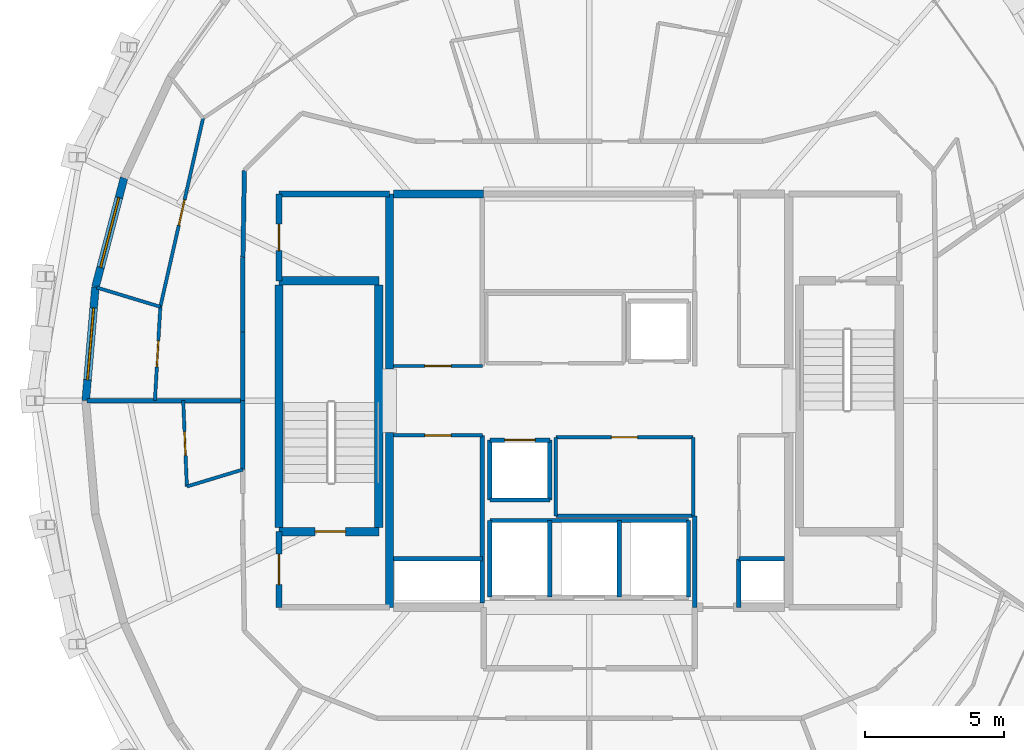
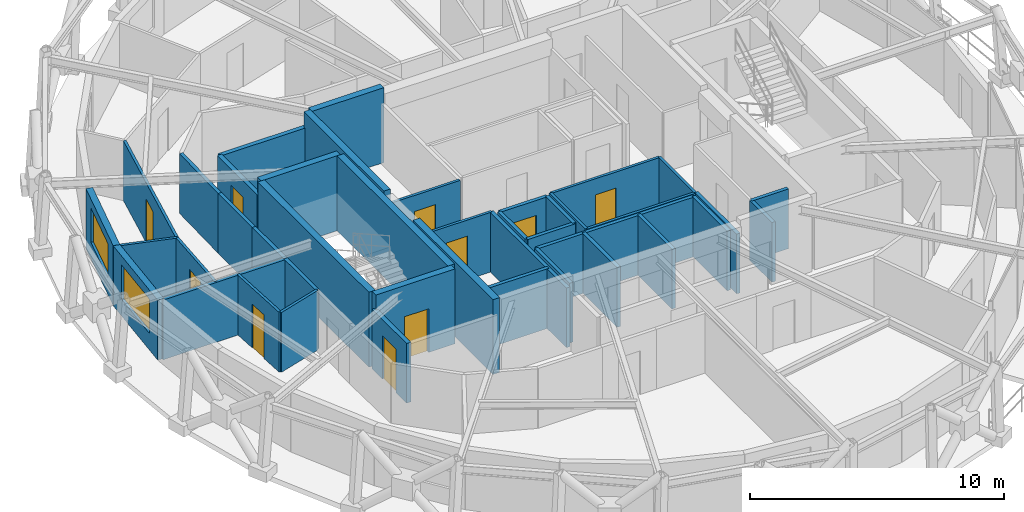
# One storey, part 13 of 17: 42 walls, 10 doors, 2 windows, 12 openings.
"""IFC4 building model written with IfcOpenShell, lengths in metres."""

from ifc_helpers import new_model, si_unit, direction, frame, frame_2d, origin, place, context, subcontext, project, spatial, rectangle, extrude, material, layer, layer_set, type_object, element, fill, save


model = new_model("IFC4")

# Units and contexts
model_context = context("Model", 3, precision=1e-05, world=origin(), true_north=direction((0.0, 1.0)))
body_context = subcontext(model_context, "Body", "Model", "MODEL_VIEW")
ifc_project = project(units=[si_unit("LENGTHUNIT", "METRE"), si_unit("AREAUNIT", "SQUARE_METRE"), si_unit("VOLUMEUNIT", "CUBIC_METRE"), si_unit("PLANEANGLEUNIT", "RADIAN"), si_unit("MASSUNIT", "GRAM", prefix="KILO")], contexts=[model_context])

# Site, building, storey
site_placement = place(None, origin())
site = spatial("IfcSite", under=ifc_project, at=site_placement, CompositionType="ELEMENT")
building_placement = place(site_placement, origin())
building = spatial("IfcBuilding", under=site, at=building_placement, Name="Veldorina Hangang Commons", CompositionType="ELEMENT")
storey_placement = place(building_placement, frame((0.0, 0.0, 286.800048828125)))
storey = spatial("IfcBuildingStorey", under=building, at=storey_placement, Name="L75", CompositionType="ELEMENT", Elevation=286.800048828125)

# Walls
ifc_material_1 = material(Name="Concrete C50/60", Category="concrete")
ifc_layer_1 = layer(ifc_material_1, 0.300048828125)
ifc_layer_set_1 = layer_set([ifc_layer_1], Name="Concrete C50/60")
wall_type_1 = type_object("IfcWallType", Name="CW-RC300-C50", PredefinedType="SHEAR", material=ifc_layer_set_1)
for number, where, z_axis, x_axis, name in (
    (1, (24.800048828125, 16.550048828125, 0.0), (0.0, 0.0, 1.0), (0.0, 1.0, 0.0), "L75 W south core shear wall"),
    (2, (24.800048828125, 25.14990234375, 0.0), (0.0, 0.0, 1.0), (0.0, 1.0, 0.0), "L75 W north core shear wall"),
):
    element("IfcWall", number, at=place(storey_placement, frame(where, z_axis=z_axis, x_axis=x_axis)), inside=storey, type_object=wall_type_1, Name=name, PredefinedType="SHEAR", context=body_context, shape_type="SweptSolid", body=[
        extrude(rectangle(XDim=6.300048828125, YDim=0.300048828125, at=frame_2d((3.14990234375, 0.0))), origin(), (0.0, 0.0, 1.0), 3.599853515625),
    ])
wall_1_placement = place(storey_placement, frame((24.949951171875, 31.449951171875, 0.0), z_axis=(0.0, 0.0, 1.0), x_axis=(1.0, 0.0, 0.0)))
element("IfcWall", 3, at=wall_1_placement, inside=storey, type_object=wall_type_1, Name="L75 north-west core shear wall", PredefinedType="SHEAR", context=body_context, shape_type="SweptSolid", body=[
    extrude(rectangle(XDim=3.25, YDim=0.300048828125, at=frame_2d((1.625, 0.0))), origin(), (0.0, 0.0, 1.0), 3.599853515625),
])

# Wall, opening, window
ifc_material_2 = material(Name="Stone Roman Travertine", Category="masonry")
ifc_layer_2 = layer(ifc_material_2, 0.280029296875)
ifc_layer_set_2 = layer_set([ifc_layer_2], Name="Stone Roman Travertine")
wall_type_2 = type_object("IfcWallType", Name="EW-TRAV-280", PredefinedType="STANDARD", material=ifc_layer_set_2)
wall_2_placement = place(storey_placement, frame((15.2353515625, 32.02734375, 0.0), z_axis=(0.0, 0.0, 1.0), x_axis=(-0.253787245117, -0.967260065451, 0.0)))
wall_2 = element("IfcWall", 4, at=wall_2_placement, inside=storey, type_object=wall_type_2, Name="L75 travertine facade wall 14", PredefinedType="STANDARD", context=body_context, shape_type="SweptSolid", body=[
    extrude(rectangle(XDim=4.068359375, YDim=0.280029296875, at=frame_2d((2.0341796875, 0.0))), origin(), (0.0, 0.0, 1.0), 2.8798828125),
])
opening_1_placement = place(wall_2_placement, frame((0.734130859375, 0.0, 0.800048828125)))
opening_1 = element("IfcOpeningElement", 5, at=opening_1_placement, cuts=wall_2, Name="Opening W-02", PredefinedType="OPENING", context=body_context, shape_type="SweptSolid", body=[
    extrude(rectangle(XDim=2.60009765625, YDim=1.64990234375, at=frame_2d((1.300048828125, 0.824951171875))), frame((0.0, 0.14990234375, 0.0), z_axis=(0.0, -1.0, 0.0), x_axis=(1.0, 0.0, 0.0)), (0.0, 0.0, 1.0), 0.300048828125),
])
ifc_material_3 = material(Name="Glass Low-E Triple IGU", Category="glass")
window_type = type_object("IfcWindowType", Name="WIN-TWR-2600", PartitioningType="SINGLE_PANEL", PredefinedType="WINDOW", material=ifc_material_3)
window_1_placement = place(opening_1_placement, origin())
window_1 = element("IfcWindow", 6, at=window_1_placement, inside=storey, type_object=window_type, Name="L75 facade window 14", OverallHeight=1.64990234375, OverallWidth=2.60009765625, PartitioningType="SINGLE_PANEL", PredefinedType="WINDOW", context=body_context, shape_type="SweptSolid", body=[
    extrude(rectangle(XDim=2.60009765625, YDim=1.64990234375, at=frame_2d((1.300048828125, 0.824951171875))), frame((0.0, 0.030029296875, 0.0), z_axis=(0.0, -1.0, 0.0), x_axis=(1.0, 0.0, 0.0)), (0.0, 0.0, 1.0), 0.06005859375),
])
fill(opening_1, window_1)

wall_3_placement = place(storey_placement, frame((14.202880859375, 28.09228515625, 0.0), z_axis=(0.0, 0.0, 1.0), x_axis=(-0.084944229557, -0.996385707377, 0.0)))
wall_3 = element("IfcWall", 7, at=wall_3_placement, inside=storey, type_object=wall_type_2, Name="L75 travertine facade wall 15", PredefinedType="STANDARD", context=body_context, shape_type="SweptSolid", body=[
    extrude(rectangle(XDim=4.107177734375, YDim=0.280029296875, at=frame_2d((2.0537109375, 0.0))), origin(), (0.0, 0.0, 1.0), 2.8798828125),
])
opening_2_placement = place(wall_3_placement, frame((0.753662109375, 0.0, 0.800048828125)))
opening_2 = element("IfcOpeningElement", 8, at=opening_2_placement, cuts=wall_3, Name="Opening W-02", PredefinedType="OPENING", context=body_context, shape_type="SweptSolid", body=[
    extrude(rectangle(XDim=2.60009765625, YDim=1.64990234375, at=frame_2d((1.300048828125, 0.824951171875))), frame((0.0, 0.14990234375, 0.0), z_axis=(0.0, -1.0, 0.0), x_axis=(1.0, 0.0, 0.0)), (0.0, 0.0, 1.0), 0.300048828125),
])
window_2_placement = place(opening_2_placement, origin())
window_2 = element("IfcWindow", 9, at=window_2_placement, inside=storey, type_object=window_type, Name="L75 facade window 15", OverallHeight=1.64990234375, OverallWidth=2.60009765625, PartitioningType="SINGLE_PANEL", PredefinedType="WINDOW", context=body_context, shape_type="SweptSolid", body=[
    extrude(rectangle(XDim=2.60009765625, YDim=1.64990234375, at=frame_2d((1.300048828125, 0.824951171875))), frame((0.0, 0.030029296875, 0.0), z_axis=(0.0, -1.0, 0.0), x_axis=(1.0, 0.0, 0.0)), (0.0, 0.0, 1.0), 0.06005859375),
])
fill(opening_2, window_2)

# Walls
ifc_layer_3 = layer(ifc_material_1, 0.300048828125)
ifc_layer_set_3 = layer_set([ifc_layer_3], Name="Concrete C50/60")
wall_type_3 = type_object("IfcWallType", Name="SW-STAIR-300", PredefinedType="SHEAR", material=ifc_layer_set_3)
for number, where, z_axis, x_axis, name in (
    (10, (20.820068359375, 19.429931640625, 0.0), (0.0, 0.0, 1.0), (0.0, 1.0, 0.0), "L75 ST1 outer stair shear wall"),
    (11, (24.419921875, 19.429931640625, 0.0), (0.0, 0.0, 1.0), (0.0, 1.0, 0.0), "L75 ST1 inner stair shear wall"),
):
    element("IfcWall", number, at=place(storey_placement, frame(where, z_axis=z_axis, x_axis=x_axis)), inside=storey, type_object=wall_type_3, Name=name, PredefinedType="SHEAR", context=body_context, shape_type="SweptSolid", body=[
        extrude(rectangle(XDim=8.739990234375, YDim=0.300048828125, at=frame_2d((4.3701171875, 0.0))), origin(), (0.0, 0.0, 1.0), 3.599853515625),
    ])

# Wall, opening, door
wall_4_placement = place(storey_placement, frame((20.820068359375, 19.280029296875, 0.0), z_axis=(0.0, 0.0, 1.0), x_axis=(1.0, 0.0, 0.0)))
wall_4 = element("IfcWall", 12, at=wall_4_placement, inside=storey, type_object=wall_type_3, Name="L75 ST1 south stair shear wall", PredefinedType="SHEAR", context=body_context, shape_type="SweptSolid", body=[
    extrude(rectangle(XDim=3.599853515625, YDim=0.300048828125, at=frame_2d((1.7998046875, 0.0))), origin(), (0.0, 0.0, 1.0), 3.599853515625),
])
opening_3_placement = place(wall_4_placement, frame((1.300048828125, 0.0, 0.0)))
opening_3 = element("IfcOpeningElement", 13, at=opening_3_placement, cuts=wall_4, Name="Opening D-08", PredefinedType="OPENING", context=body_context, shape_type="SweptSolid", body=[
    extrude(rectangle(XDim=1.10009765625, YDim=2.10009765625, at=frame_2d((0.550048828125, 1.050048828125))), frame((0.0, 0.16015625, 0.0), z_axis=(0.0, -1.0, 0.0), x_axis=(1.0, 0.0, 0.0)), (0.0, 0.0, 1.0), 0.320068359375),
])
ifc_material_4 = material(Name="Steel Fire-Rated Smoke Seal", Category="steel")
door_type_1 = type_object("IfcDoorType", Name="DR-FIRE-1100", OperationType="SINGLE_SWING_RIGHT", PredefinedType="DOOR", material=ifc_material_4)
door_1_placement = place(opening_3_placement, origin())
door_1 = element("IfcDoor", 14, at=door_1_placement, inside=storey, type_object=door_type_1, Name="L75 Special Escape Stair ST-1 door", OperationType="SINGLE_SWING_LEFT", OverallHeight=2.10009765625, OverallWidth=1.10009765625, PredefinedType="DOOR", context=body_context, shape_type="SweptSolid", body=[
    extrude(rectangle(XDim=1.10009765625, YDim=2.10009765625, at=frame_2d((0.550048828125, 1.050048828125))), frame((0.0, 0.02490234375, 0.0), z_axis=(0.0, -1.0, 0.0), x_axis=(1.0, 0.0, 0.0)), (0.0, 0.0, 1.0), 0.050048828125),
])
fill(opening_3, door_1)

# Walls
wall_5_placement = place(storey_placement, frame((20.820068359375, 28.320068359375, 0.0), z_axis=(0.0, 0.0, 1.0), x_axis=(1.0, 0.0, 0.0)))
element("IfcWall", 15, at=wall_5_placement, inside=storey, type_object=wall_type_3, Name="L75 ST1 north stair shear wall", PredefinedType="SHEAR", context=body_context, shape_type="SweptSolid", body=[
    extrude(rectangle(XDim=3.599853515625, YDim=0.300048828125, at=frame_2d((1.7998046875, 0.0))), origin(), (0.0, 0.0, 1.0), 3.599853515625),
])
ifc_material_5 = material(Name="Gypsum Fire-Rated Twin Stud Wall", Category="gypsum")
ifc_layer_4 = layer(ifc_material_5, 0.159912109375)
ifc_layer_set_4 = layer_set([ifc_layer_4], Name="Gypsum Fire-Rated Twin Stud Wall")
wall_type_4 = type_object("IfcWallType", Name="WL-FIRE-160", PredefinedType="SOLIDWALL", material=ifc_layer_set_4)
wall_6_placement = place(storey_placement, frame((35.800048828125, 16.550048828125, 0.0), z_axis=(0.0, 0.0, 1.0), x_axis=(0.0, 1.0, 0.0)))
element("IfcWall", 16, at=wall_6_placement, inside=storey, type_object=wall_type_4, Name="L75 Lift passage SW wall 009", PredefinedType="SOLIDWALL", context=body_context, shape_type="SweptSolid", body=[
    extrude(rectangle(XDim=3.300048828125, YDim=0.159912109375, at=frame_2d((1.64990234375, 0.0))), origin(), (0.0, 0.0, 1.0), 2.869873046875),
])
wall_7_placement = place(storey_placement, frame((37.39990234375, 16.550048828125, 0.0), z_axis=(0.0, 0.0, 1.0), x_axis=(0.0, 1.0, 0.0)))
element("IfcWall", 17, at=wall_7_placement, inside=storey, type_object=wall_type_4, Name="L75 Lift passage SE stub 010", PredefinedType="SOLIDWALL", context=body_context, shape_type="SweptSolid", body=[
    extrude(rectangle(XDim=1.75, YDim=0.159912109375, at=frame_2d((0.875, 0.0))), origin(), (0.0, 0.0, 1.0), 2.869873046875),
])

# Wall, opening, door
wall_8_placement = place(storey_placement, frame((28.419921875, 22.580078125, 0.0), z_axis=(0.0, 0.0, 1.0), x_axis=(1.0, 0.0, 0.0)))
wall_8 = element("IfcWall", 18, at=wall_8_placement, inside=storey, type_object=wall_type_4, Name="L75 Shuttle-high front shaft wall 019", PredefinedType="SOLIDWALL", context=body_context, shape_type="SweptSolid", body=[
    extrude(rectangle(XDim=2.16015625, YDim=0.159912109375, at=frame_2d((1.080078125, 0.0))), origin(), (0.0, 0.0, 1.0), 2.869873046875),
])
opening_4_placement = place(wall_8_placement, frame((0.530029296875, 0.0, 0.0)))
opening_4 = element("IfcOpeningElement", 19, at=opening_4_placement, cuts=wall_8, Name="Opening LD-01", PredefinedType="OPENING", context=body_context, shape_type="SweptSolid", body=[
    extrude(rectangle(XDim=1.10009765625, YDim=2.14990234375, at=frame_2d((0.550048828125, 1.074951171875))), frame((0.0, 0.08984375, 0.0), z_axis=(0.0, -1.0, 0.0), x_axis=(1.0, 0.0, 0.0)), (0.0, 0.0, 1.0), 0.179931640625),
])
ifc_material_6 = material(Name="Stainless Steel Brushed Lift Door", Category="steel")
door_type_2 = type_object("IfcDoorType", Name="DR-LIFT-1100", OperationType="SLIDING_TO_LEFT", PredefinedType="DOOR", material=ifc_material_6)
door_2_placement = place(opening_4_placement, origin())
door_2 = element("IfcDoor", 20, at=door_2_placement, inside=storey, type_object=door_type_2, Name="L75 Lift PL-H2 landing door 007", OperationType="SLIDING_TO_LEFT", OverallHeight=2.14990234375, OverallWidth=1.10009765625, PredefinedType="DOOR", context=body_context, shape_type="SweptSolid", body=[
    extrude(rectangle(XDim=1.10009765625, YDim=2.14990234375, at=frame_2d((0.550048828125, 1.074951171875))), frame((0.0, 0.02490234375, 0.0), z_axis=(0.0, -1.0, 0.0), x_axis=(1.0, 0.0, 0.0)), (0.0, 0.0, 1.0), 0.050048828125),
])
fill(opening_4, door_2)

# Walls
for number, where, z_axis, x_axis, name in (
    (21, (28.419921875, 20.419921875, 0.0), (0.0, 0.0, 1.0), (1.0, 0.0, 0.0), "L75 Shuttle-high rear shaft wall 020"),
    (22, (28.419921875, 20.419921875, 0.0), (0.0, 0.0, 1.0), (0.0, 1.0, 0.0), "L75 PL-H2 west shaft wall 021"),
    (23, (30.580078125, 20.419921875, 0.0), (0.0, 0.0, 1.0), (0.0, 1.0, 0.0), "L75 PL-H2 east shaft wall 022"),
):
    element("IfcWall", number, at=place(storey_placement, frame(where, z_axis=z_axis, x_axis=x_axis)), inside=storey, type_object=wall_type_4, Name=name, PredefinedType="SOLIDWALL", context=body_context, shape_type="SweptSolid", body=[
        extrude(rectangle(XDim=2.16015625, YDim=0.159912109375, at=frame_2d((1.080078125, 0.0))), origin(), (0.0, 0.0, 1.0), 2.869873046875),
    ])
wall_9_placement = place(storey_placement, frame((28.419921875, 19.679931640625, 0.0), z_axis=(0.0, 0.0, 1.0), x_axis=(1.0, 0.0, 0.0)))
element("IfcWall", 24, at=wall_9_placement, inside=storey, type_object=wall_type_4, Name="L75 Emergency rear shaft wall 024", PredefinedType="SOLIDWALL", context=body_context, shape_type="SweptSolid", body=[
    extrude(rectangle(XDim=7.16015625, YDim=0.159912109375, at=frame_2d((3.580078125, 0.0))), origin(), (0.0, 0.0, 1.0), 2.869873046875),
])
for number, where, z_axis, x_axis, name in (
    (25, (28.419921875, 16.919921875, 0.0), (0.0, 0.0, 1.0), (0.0, 1.0, 0.0), "L75 FFL-1 west shaft wall 025"),
    (26, (30.580078125, 16.919921875, 0.0), (0.0, 0.0, 1.0), (0.0, 1.0, 0.0), "L75 FFL-1 east shaft wall 026"),
    (27, (33.080078125, 16.919921875, 0.0), (0.0, 0.0, 1.0), (0.0, 1.0, 0.0), "L75 FFL-2 east shaft wall 027"),
    (28, (35.580078125, 16.919921875, 0.0), (0.0, 0.0, 1.0), (0.0, 1.0, 0.0), "L75 EVL-1 east shaft wall 028"),
):
    element("IfcWall", number, at=place(storey_placement, frame(where, z_axis=z_axis, x_axis=x_axis)), inside=storey, type_object=wall_type_4, Name=name, PredefinedType="SOLIDWALL", context=body_context, shape_type="SweptSolid", body=[
        extrude(rectangle(XDim=2.760009765625, YDim=0.159912109375, at=frame_2d((1.3798828125, 0.0))), origin(), (0.0, 0.0, 1.0), 2.869873046875),
    ])
wall_10_placement = place(storey_placement, frame((24.949951171875, 18.300048828125, 0.0), z_axis=(0.0, 0.0, 1.0), x_axis=(1.0, 0.0, 0.0)))
element("IfcWall", 29, at=wall_10_placement, inside=storey, type_object=wall_type_4, Name="L75 Electrical riser wall 040", PredefinedType="SOLIDWALL", context=body_context, shape_type="SweptSolid", body=[
    extrude(rectangle(XDim=3.199951171875, YDim=0.159912109375, at=frame_2d((1.60009765625, 0.0))), origin(), (0.0, 0.0, 1.0), 2.869873046875),
])
wall_11_placement = place(storey_placement, frame((28.14990234375, 16.699951171875, 0.0), z_axis=(0.0, 0.0, 1.0), x_axis=(0.0, 1.0, 0.0)))
element("IfcWall", 30, at=wall_11_placement, inside=storey, type_object=wall_type_4, Name="L75 SW core inner wall 041", PredefinedType="SOLIDWALL", context=body_context, shape_type="SweptSolid", body=[
    extrude(rectangle(XDim=6.050048828125, YDim=0.159912109375, at=frame_2d((3.02490234375, 0.0))), origin(), (0.0, 0.0, 1.0), 2.869873046875),
])
wall_12_placement = place(storey_placement, frame((37.39990234375, 18.300048828125, 0.0), z_axis=(0.0, 0.0, 1.0), x_axis=(1.0, 0.0, 0.0)))
element("IfcWall", 31, at=wall_12_placement, inside=storey, type_object=wall_type_4, Name="L75 Plumbing riser wall 042", PredefinedType="SOLIDWALL", context=body_context, shape_type="SweptSolid", body=[
    extrude(rectangle(XDim=1.650146484375, YDim=0.159912109375, at=frame_2d((0.8251953125, 0.0))), origin(), (0.0, 0.0, 1.0), 2.869873046875),
])
wall_13_placement = place(storey_placement, frame((19.5732421875, 32.30322265625, 0.0), z_axis=(0.0, 0.0, 1.0), x_axis=(-0.016981035134, -0.999855811828, 0.0)))
element("IfcWall", 32, at=wall_13_placement, inside=storey, type_object=wall_type_4, Name="L75 Compact collar outer wall 13 063", PredefinedType="SOLIDWALL", context=body_context, shape_type="SweptSolid", body=[
    extrude(rectangle(XDim=3.13427734375, YDim=0.159912109375, at=frame_2d((1.567138671875, 0.0))), origin(), (0.0, 0.0, 1.0), 2.869873046875),
])
wall_14_placement = place(storey_placement, frame((19.52001953125, 29.16943359375, 0.0), z_axis=(0.0, 0.0, 1.0), x_axis=(0.0, -1.0, 0.0)))
element("IfcWall", 33, at=wall_14_placement, inside=storey, type_object=wall_type_4, Name="L75 Compact collar outer wall 14 064", PredefinedType="SOLIDWALL", context=body_context, shape_type="SweptSolid", body=[
    extrude(rectangle(XDim=2.68701171875, YDim=0.159912109375, at=frame_2d((1.343505859375, 0.0))), origin(), (0.0, 0.0, 1.0), 2.869873046875),
])
for number, where, z_axis, x_axis, name in (
    (34, (19.52001953125, 26.482421875, 0.0), (0.0, 0.0, 1.0), (0.0, -1.0, 0.0), "L75 Compact collar outer wall 15 065"),
    (35, (19.52001953125, 24.0, 0.0), (0.0, 0.0, 1.0), (0.0, -1.0, 0.0), "L75 Compact collar outer wall 16 066"),
):
    element("IfcWall", number, at=place(storey_placement, frame(where, z_axis=z_axis, x_axis=x_axis)), inside=storey, type_object=wall_type_4, Name=name, PredefinedType="SOLIDWALL", context=body_context, shape_type="SweptSolid", body=[
        extrude(rectangle(XDim=2.482421875, YDim=0.159912109375, at=frame_2d((1.2412109375, 0.0))), origin(), (0.0, 0.0, 1.0), 2.869873046875),
    ])
wall_15_placement = place(storey_placement, frame((19.52001953125, 24.0, 0.0), z_axis=(0.0, 0.0, 1.0), x_axis=(-1.0, 0.0, 0.0)))
element("IfcWall", 36, at=wall_15_placement, inside=storey, type_object=wall_type_4, Name="L75 Unit party wall 16 099", PredefinedType="SOLIDWALL", context=body_context, shape_type="SweptSolid", body=[
    extrude(rectangle(XDim=5.615966796875, YDim=0.159912109375, at=frame_2d((2.80810546875, 0.0))), origin(), (0.0, 0.0, 1.0), 2.869873046875),
])

# Wall, opening, door
ifc_material_7 = material(Name="Concrete Blockwork Fire Wall C30/37", Category="masonry")
ifc_layer_5 = layer(ifc_material_7, 0.199951171875)
ifc_layer_set_5 = layer_set([ifc_layer_5], Name="Concrete Blockwork Fire Wall C30/37")
wall_type_5 = type_object("IfcWallType", Name="WL-FIRE-200", PredefinedType="SOLIDWALL", material=ifc_layer_set_5)
wall_16_placement = place(storey_placement, frame((20.820068359375, 16.550048828125, 0.0), z_axis=(0.0, 0.0, 1.0), x_axis=(0.0, 1.0, 0.0)))
wall_16 = element("IfcWall", 37, at=wall_16_placement, inside=storey, type_object=wall_type_5, Name="L75 West vestibule outer wall 001", PredefinedType="SOLIDWALL", context=body_context, shape_type="SweptSolid", body=[
    extrude(rectangle(XDim=2.72998046875, YDim=0.199951171875, at=frame_2d((1.364990234375, 0.0))), origin(), (0.0, 0.0, 1.0), 2.869873046875),
])
opening_5_placement = place(wall_16_placement, frame((0.81494140625, 0.0, 0.0)))
opening_5 = element("IfcOpeningElement", 38, at=opening_5_placement, cuts=wall_16, Name="Opening D-08", PredefinedType="OPENING", context=body_context, shape_type="SweptSolid", body=[
    extrude(rectangle(XDim=1.10009765625, YDim=2.10009765625, at=frame_2d((0.550048828125, 1.050048828125))), frame((0.0, 0.10986328125, 0.0), z_axis=(0.0, -1.0, 0.0), x_axis=(1.0, 0.0, 0.0)), (0.0, 0.0, 1.0), 0.219970703125),
])
door_3_placement = place(opening_5_placement, origin())
door_3 = element("IfcDoor", 39, at=door_3_placement, inside=storey, type_object=door_type_1, Name="L75 West vestibule west door 001", OperationType="SINGLE_SWING_LEFT", OverallHeight=2.10009765625, OverallWidth=1.10009765625, PredefinedType="DOOR", context=body_context, shape_type="SweptSolid", body=[
    extrude(rectangle(XDim=1.10009765625, YDim=2.10009765625, at=frame_2d((0.550048828125, 1.050048828125))), frame((0.0, 0.02490234375, 0.0), z_axis=(0.0, -1.0, 0.0), x_axis=(1.0, 0.0, 0.0)), (0.0, 0.0, 1.0), 0.050048828125),
])
fill(opening_5, door_3)

wall_17_placement = place(storey_placement, frame((20.820068359375, 28.320068359375, 0.0), z_axis=(0.0, 0.0, 1.0), x_axis=(0.0, 1.0, 0.0)))
wall_17 = element("IfcWall", 40, at=wall_17_placement, inside=storey, type_object=wall_type_5, Name="L75 NW core room outer wall 005", PredefinedType="SOLIDWALL", context=body_context, shape_type="SweptSolid", body=[
    extrude(rectangle(XDim=3.1298828125, YDim=0.199951171875, at=frame_2d((1.56494140625, 0.0))), origin(), (0.0, 0.0, 1.0), 2.869873046875),
])
opening_6_placement = place(wall_17_placement, frame((1.090087890625, 0.0, 0.0)))
opening_6 = element("IfcOpeningElement", 41, at=opening_6_placement, cuts=wall_17, Name="Opening D-04", PredefinedType="OPENING", context=body_context, shape_type="SweptSolid", body=[
    extrude(rectangle(XDim=0.949951171875, YDim=2.10009765625, at=frame_2d((0.47509765625, 1.050048828125))), frame((0.0, 0.10986328125, 0.0), z_axis=(0.0, -1.0, 0.0), x_axis=(1.0, 0.0, 0.0)), (0.0, 0.0, 1.0), 0.219970703125),
])
ifc_material_8 = material(Name="Timber Accessible Flush Leaf", Category="wood")
door_type_3 = type_object("IfcDoorType", Name="DR-ACC-950", OperationType="SINGLE_SWING_LEFT", PredefinedType="DOOR", material=ifc_material_8)
door_4_placement = place(opening_6_placement, origin())
door_4 = element("IfcDoor", 42, at=door_4_placement, inside=storey, type_object=door_type_3, Name="L75 NW core WC door 003", OperationType="SINGLE_SWING_LEFT", OverallHeight=2.10009765625, OverallWidth=0.949951171875, PredefinedType="DOOR", context=body_context, shape_type="SweptSolid", body=[
    extrude(rectangle(XDim=0.949951171875, YDim=2.10009765625, at=frame_2d((0.47509765625, 1.050048828125))), frame((0.0, 0.02490234375, 0.0), z_axis=(0.0, -1.0, 0.0), x_axis=(1.0, 0.0, 0.0)), (0.0, 0.0, 1.0), 0.050048828125),
])
fill(opening_6, door_4)

# Wall
wall_18_placement = place(storey_placement, frame((20.820068359375, 31.449951171875, 0.0), z_axis=(0.0, 0.0, 1.0), x_axis=(1.0, 0.0, 0.0)))
element("IfcWall", 43, at=wall_18_placement, inside=storey, type_object=wall_type_5, Name="L75 NW core room north wall 006", PredefinedType="SOLIDWALL", context=body_context, shape_type="SweptSolid", body=[
    extrude(rectangle(XDim=3.97998046875, YDim=0.199951171875, at=frame_2d((1.989990234375, 0.0))), origin(), (0.0, 0.0, 1.0), 2.869873046875),
])

# Wall, opening, door
ifc_material_9 = material(Name="Gypsum Acoustic Stud Partition", Category="gypsum")
ifc_layer_6 = layer(ifc_material_9, 0.1201171875)
ifc_layer_set_6 = layer_set([ifc_layer_6], Name="Gypsum Acoustic Stud Partition")
wall_type_6 = type_object("IfcWallType", Name="WL-PART-120", PredefinedType="PARTITIONING", material=ifc_layer_set_6)
wall_19_placement = place(storey_placement, frame((30.800048828125, 22.679931640625, 0.0), z_axis=(0.0, 0.0, 1.0), x_axis=(1.0, 0.0, 0.0)))
wall_19 = element("IfcWall", 44, at=wall_19_placement, inside=storey, type_object=wall_type_6, Name="L75 Merged shuttle north wall 036", PredefinedType="PARTITIONING", context=body_context, shape_type="SweptSolid", body=[
    extrude(rectangle(XDim=4.949951171875, YDim=0.1201171875, at=frame_2d((2.47509765625, 0.0))), origin(), (0.0, 0.0, 1.0), 2.869873046875),
])
opening_7_placement = place(wall_19_placement, frame((2.0, 0.0, 0.0)))
opening_7 = element("IfcOpeningElement", 45, at=opening_7_placement, cuts=wall_19, Name="Opening D-02", PredefinedType="OPENING", context=body_context, shape_type="SweptSolid", body=[
    extrude(rectangle(XDim=0.949951171875, YDim=2.10009765625, at=frame_2d((0.47509765625, 1.050048828125))), frame((0.0, 0.070068359375, 0.0), z_axis=(0.0, -1.0, 0.0), x_axis=(1.0, 0.0, 0.0)), (0.0, 0.0, 1.0), 0.14013671875),
])
ifc_material_10 = material(Name="Timber Solid Core Acoustic", Category="wood")
door_type_4 = type_object("IfcDoorType", Name="DR-INT-950", OperationType="SINGLE_SWING_LEFT", PredefinedType="DOOR", material=ifc_material_10)
door_5_placement = place(opening_7_placement, origin())
door_5 = element("IfcDoor", 46, at=door_5_placement, inside=storey, type_object=door_type_4, Name="L75 Floor tea pantry door 013", OperationType="SINGLE_SWING_LEFT", OverallHeight=2.10009765625, OverallWidth=0.949951171875, PredefinedType="DOOR", context=body_context, shape_type="SweptSolid", body=[
    extrude(rectangle(XDim=0.949951171875, YDim=2.10009765625, at=frame_2d((0.47509765625, 1.050048828125))), frame((0.0, 0.02490234375, 0.0), z_axis=(0.0, -1.0, 0.0), x_axis=(1.0, 0.0, 0.0)), (0.0, 0.0, 1.0), 0.050048828125),
])
fill(opening_7, door_5)

# Walls
wall_20_placement = place(storey_placement, frame((30.800048828125, 19.85009765625, 0.0), z_axis=(0.0, 0.0, 1.0), x_axis=(1.0, 0.0, 0.0)))
element("IfcWall", 47, at=wall_20_placement, inside=storey, type_object=wall_type_6, Name="L75 Merged shuttle south wall 037", PredefinedType="PARTITIONING", context=body_context, shape_type="SweptSolid", body=[
    extrude(rectangle(XDim=4.949951171875, YDim=0.1201171875, at=frame_2d((2.47509765625, 0.0))), origin(), (0.0, 0.0, 1.0), 2.869873046875),
])
for number, where, z_axis, x_axis, name in (
    (48, (30.800048828125, 19.85009765625, 0.0), (0.0, 0.0, 1.0), (0.0, 1.0, 0.0), "L75 Merged shuttle west wall 038"),
    (49, (35.75, 19.85009765625, 0.0), (0.0, 0.0, 1.0), (0.0, 1.0, 0.0), "L75 Merged shuttle east wall 039"),
):
    element("IfcWall", number, at=place(storey_placement, frame(where, z_axis=z_axis, x_axis=x_axis)), inside=storey, type_object=wall_type_6, Name=name, PredefinedType="PARTITIONING", context=body_context, shape_type="SweptSolid", body=[
        extrude(rectangle(XDim=2.829833984375, YDim=0.1201171875, at=frame_2d((1.4150390625, 0.0))), origin(), (0.0, 0.0, 1.0), 2.869873046875),
    ])

# Wall, opening, door
wall_21_placement = place(storey_placement, frame((24.949951171875, 25.25, 0.0), z_axis=(0.0, 0.0, 1.0), x_axis=(1.0, 0.0, 0.0)))
wall_21 = element("IfcWall", 50, at=wall_21_placement, inside=storey, type_object=wall_type_6, Name="L75 NW service south wall 044", PredefinedType="PARTITIONING", context=body_context, shape_type="SweptSolid", body=[
    extrude(rectangle(XDim=3.199951171875, YDim=0.1201171875, at=frame_2d((1.60009765625, 0.0))), origin(), (0.0, 0.0, 1.0), 2.869873046875),
])
opening_8_placement = place(wall_21_placement, frame((1.125, 0.0, 0.0)))
opening_8 = element("IfcOpeningElement", 51, at=opening_8_placement, cuts=wall_21, Name="Opening D-02", PredefinedType="OPENING", context=body_context, shape_type="SweptSolid", body=[
    extrude(rectangle(XDim=0.949951171875, YDim=2.10009765625, at=frame_2d((0.47509765625, 1.050048828125))), frame((0.0, 0.070068359375, 0.0), z_axis=(0.0, -1.0, 0.0), x_axis=(1.0, 0.0, 0.0)), (0.0, 0.0, 1.0), 0.14013671875),
])
door_6_placement = place(opening_8_placement, origin())
door_6 = element("IfcDoor", 52, at=door_6_placement, inside=storey, type_object=door_type_4, Name="L75 Housekeeping store door 014", OperationType="SINGLE_SWING_RIGHT", OverallHeight=2.10009765625, OverallWidth=0.949951171875, PredefinedType="DOOR", context=body_context, shape_type="SweptSolid", body=[
    extrude(rectangle(XDim=0.949951171875, YDim=2.10009765625, at=frame_2d((0.47509765625, 1.050048828125))), frame((0.0, 0.02490234375, 0.0), z_axis=(0.0, -1.0, 0.0), x_axis=(1.0, 0.0, 0.0)), (0.0, 0.0, 1.0), 0.050048828125),
])
fill(opening_8, door_6)

wall_22_placement = place(storey_placement, frame((24.949951171875, 22.75, 0.0), z_axis=(0.0, 0.0, 1.0), x_axis=(1.0, 0.0, 0.0)))
wall_22 = element("IfcWall", 53, at=wall_22_placement, inside=storey, type_object=wall_type_6, Name="L75 SW service north wall 045", PredefinedType="PARTITIONING", context=body_context, shape_type="SweptSolid", body=[
    extrude(rectangle(XDim=3.199951171875, YDim=0.1201171875, at=frame_2d((1.60009765625, 0.0))), origin(), (0.0, 0.0, 1.0), 2.869873046875),
])
opening_9_placement = place(wall_22_placement, frame((1.125, 0.0, 0.0)))
opening_9 = element("IfcOpeningElement", 54, at=opening_9_placement, cuts=wall_22, Name="Opening D-02", PredefinedType="OPENING", context=body_context, shape_type="SweptSolid", body=[
    extrude(rectangle(XDim=0.949951171875, YDim=2.10009765625, at=frame_2d((0.47509765625, 1.050048828125))), frame((0.0, 0.070068359375, 0.0), z_axis=(0.0, -1.0, 0.0), x_axis=(1.0, 0.0, 0.0)), (0.0, 0.0, 1.0), 0.14013671875),
])
door_7_placement = place(opening_9_placement, origin())
door_7 = element("IfcDoor", 55, at=door_7_placement, inside=storey, type_object=door_type_4, Name="L75 Refuse hold door 015", OperationType="SINGLE_SWING_LEFT", OverallHeight=2.10009765625, OverallWidth=0.949951171875, PredefinedType="DOOR", context=body_context, shape_type="SweptSolid", body=[
    extrude(rectangle(XDim=0.949951171875, YDim=2.10009765625, at=frame_2d((0.47509765625, 1.050048828125))), frame((0.0, 0.02490234375, 0.0), z_axis=(0.0, -1.0, 0.0), x_axis=(1.0, 0.0, 0.0)), (0.0, 0.0, 1.0), 0.050048828125),
])
fill(opening_9, door_7)

wall_23_placement = place(storey_placement, frame((18.0830078125, 34.1796875, 0.0), z_axis=(0.0, 0.0, 1.0), x_axis=(-0.22107591462, -0.975256602118, 0.0)))
wall_23 = element("IfcWall", 56, at=wall_23_placement, inside=storey, type_object=wall_type_6, Name="L75 Cluster 4 bed 3 front wall 095", PredefinedType="PARTITIONING", context=body_context, shape_type="SweptSolid", body=[
    extrude(rectangle(XDim=6.96826171875, YDim=0.1201171875, at=frame_2d((3.484130859375, 0.0))), origin(), (0.0, 0.0, 1.0), 2.869873046875),
])
opening_10_placement = place(wall_23_placement, frame((3.009033203125, 0.0, 0.0)))
opening_10 = element("IfcOpeningElement", 57, at=opening_10_placement, cuts=wall_23, Name="Opening D-02", PredefinedType="OPENING", context=body_context, shape_type="SweptSolid", body=[
    extrude(rectangle(XDim=0.949951171875, YDim=2.10009765625, at=frame_2d((0.47509765625, 1.050048828125))), frame((0.0, 0.070068359375, 0.0), z_axis=(0.0, -1.0, 0.0), x_axis=(1.0, 0.0, 0.0)), (0.0, 0.0, 1.0), 0.14013671875),
])
door_8_placement = place(opening_10_placement, origin())
door_8 = element("IfcDoor", 58, at=door_8_placement, inside=storey, type_object=door_type_4, Name="L75 Cluster 4 bed 3 door 027", OperationType="SINGLE_SWING_LEFT", OverallHeight=2.10009765625, OverallWidth=0.949951171875, PredefinedType="DOOR", context=body_context, shape_type="SweptSolid", body=[
    extrude(rectangle(XDim=0.949951171875, YDim=2.10009765625, at=frame_2d((0.47509765625, 1.050048828125))), frame((0.0, 0.02490234375, 0.0), z_axis=(0.0, -1.0, 0.0), x_axis=(1.0, 0.0, 0.0)), (0.0, 0.0, 1.0), 0.050048828125),
])
fill(opening_10, door_8)

wall_24_placement = place(storey_placement, frame((16.54248046875, 27.3837890625, 0.0), z_axis=(0.0, 0.0, 1.0), x_axis=(-0.057624147088, -0.998338348293, 0.0)))
wall_24 = element("IfcWall", 59, at=wall_24_placement, inside=storey, type_object=wall_type_6, Name="L75 Cluster 4 bed 4 front wall 097", PredefinedType="PARTITIONING", context=body_context, shape_type="SweptSolid", body=[
    extrude(rectangle(XDim=3.389404296875, YDim=0.1201171875, at=frame_2d((1.69482421875, 0.0))), origin(), (0.0, 0.0, 1.0), 2.869873046875),
])
opening_11_placement = place(wall_24_placement, frame((1.2197265625, 0.0, 0.0)))
opening_11 = element("IfcOpeningElement", 60, at=opening_11_placement, cuts=wall_24, Name="Opening D-02", PredefinedType="OPENING", context=body_context, shape_type="SweptSolid", body=[
    extrude(rectangle(XDim=0.949951171875, YDim=2.10009765625, at=frame_2d((0.47509765625, 1.050048828125))), frame((0.0, 0.070068359375, 0.0), z_axis=(0.0, -1.0, 0.0), x_axis=(1.0, 0.0, 0.0)), (0.0, 0.0, 1.0), 0.14013671875),
])
door_9_placement = place(opening_11_placement, origin())
door_9 = element("IfcDoor", 61, at=door_9_placement, inside=storey, type_object=door_type_4, Name="L75 Cluster 4 bed 4 door 028", OperationType="SINGLE_SWING_RIGHT", OverallHeight=2.10009765625, OverallWidth=0.949951171875, PredefinedType="DOOR", context=body_context, shape_type="SweptSolid", body=[
    extrude(rectangle(XDim=0.949951171875, YDim=2.10009765625, at=frame_2d((0.47509765625, 1.050048828125))), frame((0.0, 0.02490234375, 0.0), z_axis=(0.0, -1.0, 0.0), x_axis=(1.0, 0.0, 0.0)), (0.0, 0.0, 1.0), 0.050048828125),
])
fill(opening_11, door_9)

# Wall
wall_25_placement = place(storey_placement, frame((16.54248046875, 27.3837890625, 0.0), z_axis=(0.0, 0.0, 1.0), x_axis=(-0.957068126057, 0.289863074718, 0.0)))
element("IfcWall", 62, at=wall_25_placement, inside=storey, type_object=wall_type_6, Name="L75 Cluster 4 bed divider 3 098", PredefinedType="PARTITIONING", context=body_context, shape_type="SweptSolid", body=[
    extrude(rectangle(XDim=2.39453125, YDim=0.1201171875, at=frame_2d((1.197265625, 0.0))), origin(), (0.0, 0.0, 1.0), 2.869873046875),
])

# Wall, opening, door
wall_26_placement = place(storey_placement, frame((17.366943359375, 24.0, 0.0), z_axis=(0.0, 0.0, 1.0), x_axis=(0.042804349557, -0.999083473819, 0.0)))
wall_26 = element("IfcWall", 63, at=wall_26_placement, inside=storey, type_object=wall_type_6, Name="L75 Studio 5 bath front wall 100", PredefinedType="PARTITIONING", context=body_context, shape_type="SweptSolid", body=[
    extrude(rectangle(XDim=3.09716796875, YDim=0.1201171875, at=frame_2d((1.548583984375, 0.0))), origin(), (0.0, 0.0, 1.0), 2.869873046875),
])
opening_12_placement = place(wall_26_placement, frame((1.118408203125, 0.0, 0.0)))
opening_12 = element("IfcOpeningElement", 64, at=opening_12_placement, cuts=wall_26, Name="Opening D-01", PredefinedType="OPENING", context=body_context, shape_type="SweptSolid", body=[
    extrude(rectangle(XDim=0.860107421875, YDim=2.10009765625, at=frame_2d((0.43017578125, 1.050048828125))), frame((0.0, 0.070068359375, 0.0), z_axis=(0.0, -1.0, 0.0), x_axis=(1.0, 0.0, 0.0)), (0.0, 0.0, 1.0), 0.14013671875),
])
ifc_material_11 = material(Name="Timber Moisture-Resistant Core", Category="wood")
door_type_5 = type_object("IfcDoorType", Name="DR-WET-860", OperationType="SINGLE_SWING_LEFT", PredefinedType="DOOR", material=ifc_material_11)
door_10_placement = place(opening_12_placement, origin())
door_10 = element("IfcDoor", 65, at=door_10_placement, inside=storey, type_object=door_type_5, Name="L75 Studio 5 bathroom door 029", OperationType="SINGLE_SWING_LEFT", OverallHeight=2.10009765625, OverallWidth=0.860107421875, PredefinedType="DOOR", context=body_context, shape_type="SweptSolid", body=[
    extrude(rectangle(XDim=0.860107421875, YDim=2.10009765625, at=frame_2d((0.43017578125, 1.050048828125))), frame((0.0, 0.02490234375, 0.0), z_axis=(0.0, -1.0, 0.0), x_axis=(1.0, 0.0, 0.0)), (0.0, 0.0, 1.0), 0.050048828125),
])
fill(opening_12, door_10)

# Wall
wall_27_placement = place(storey_placement, frame((19.52001953125, 21.517578125, 0.0), z_axis=(0.0, 0.0, 1.0), x_axis=(-0.957084686855, -0.289808388746, 0.0)))
element("IfcWall", 66, at=wall_27_placement, inside=storey, type_object=wall_type_6, Name="L75 Studio 5 bath side wall 101", PredefinedType="PARTITIONING", context=body_context, shape_type="SweptSolid", body=[
    extrude(rectangle(XDim=2.111083984375, YDim=0.1201171875, at=frame_2d((1.0556640625, 0.0))), origin(), (0.0, 0.0, 1.0), 2.869873046875),
])

save(model, "model.ifc")
